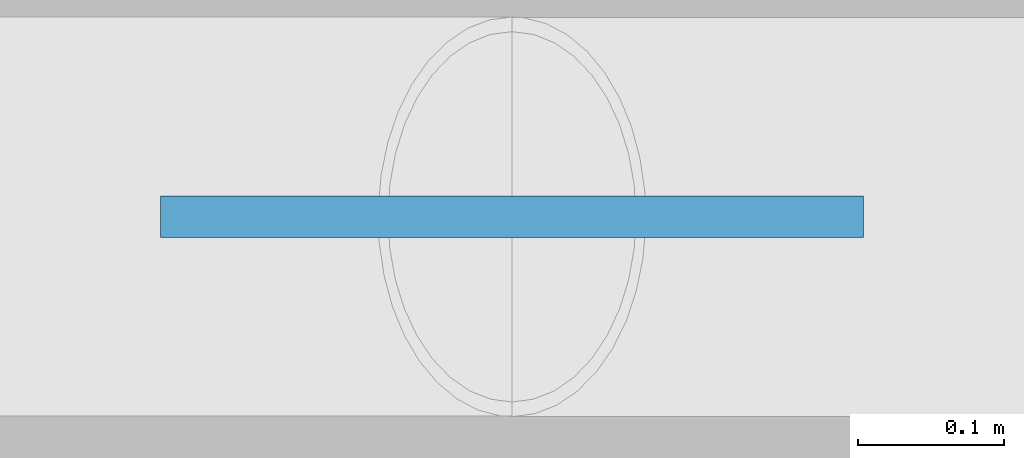
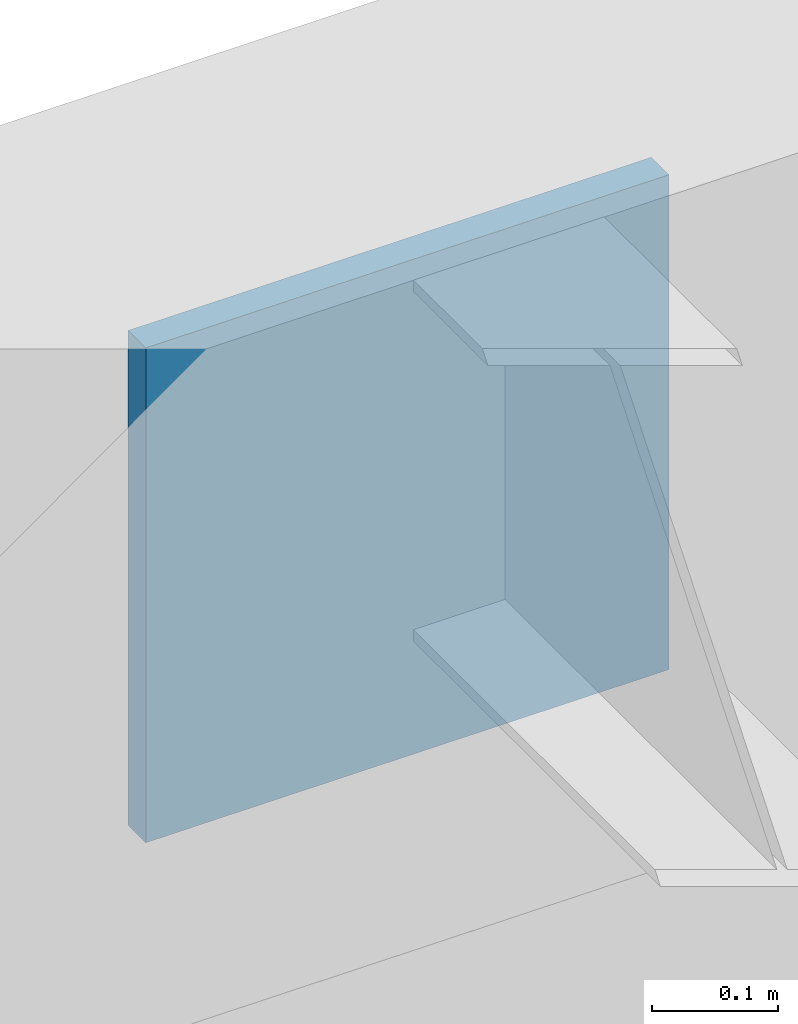
# One storey, part 12 of 30: 1 plate.
"""IFC4 building model written with IfcOpenShell, lengths in metres."""

from ifc_helpers import new_model, si_unit, direction, frame, origin, origin_2d, place, context, subcontext, project, spatial, rectangle, extrude, material, layer, layer_set, type_object, element, save


model = new_model("IFC4")

# Units and contexts
model_context = context("Model", 3, precision=1e-05, world=origin(), true_north=direction((0.0, 1.0)))
body_context = subcontext(model_context, "Body", "Model", "MODEL_VIEW")
ifc_project = project(units=[si_unit("LENGTHUNIT", "METRE"), si_unit("AREAUNIT", "SQUARE_METRE"), si_unit("VOLUMEUNIT", "CUBIC_METRE"), si_unit("PLANEANGLEUNIT", "RADIAN"), si_unit("MASSUNIT", "GRAM", prefix="KILO")], contexts=[model_context])

# Site, building, storey
site_placement = place(None, origin())
site = spatial("IfcSite", under=ifc_project, at=site_placement, CompositionType="ELEMENT")
building_placement = place(site_placement, origin())
building = spatial("IfcBuilding", under=site, at=building_placement, Name="Chengyuan Square Courthouse", CompositionType="ELEMENT")
storey_placement = place(building_placement, frame((0.0, 0.0, 26.10009765625)))
storey = spatial("IfcBuildingStorey", under=building, at=storey_placement, Name="L06", CompositionType="ELEMENT", Elevation=26.10009765625)

# Plate
ifc_material = material(Name="Steel Q355B", Category="steel")
ifc_layer = layer(ifc_material, 0.028076171875)
ifc_layer_set = layer_set([ifc_layer], Name="Steel Q355B")
plate_type = type_object("IfcPlateType", Name="GP-02", PredefinedType="SHEET", material=ifc_layer_set)
plate_placement = place(storey_placement, frame((63.0, 115.199951171875, 3.64990234375), z_axis=(0.0, 0.0, 1.0), x_axis=(1.0, 0.0, 0.0)))
element("IfcPlate", 1, at=plate_placement, inside=storey, type_object=plate_type, Name="Brace Gusset Plate GP-L06-07", PredefinedType="SHEET", context=body_context, shape_type="SweptSolid", body=[
    extrude(rectangle(XDim=0.47998046875, YDim=0.028076171875, at=origin_2d()), origin(), (0.0, 0.0, 1.0), 0.47998046875),
])

save(model, "model.ifc")
